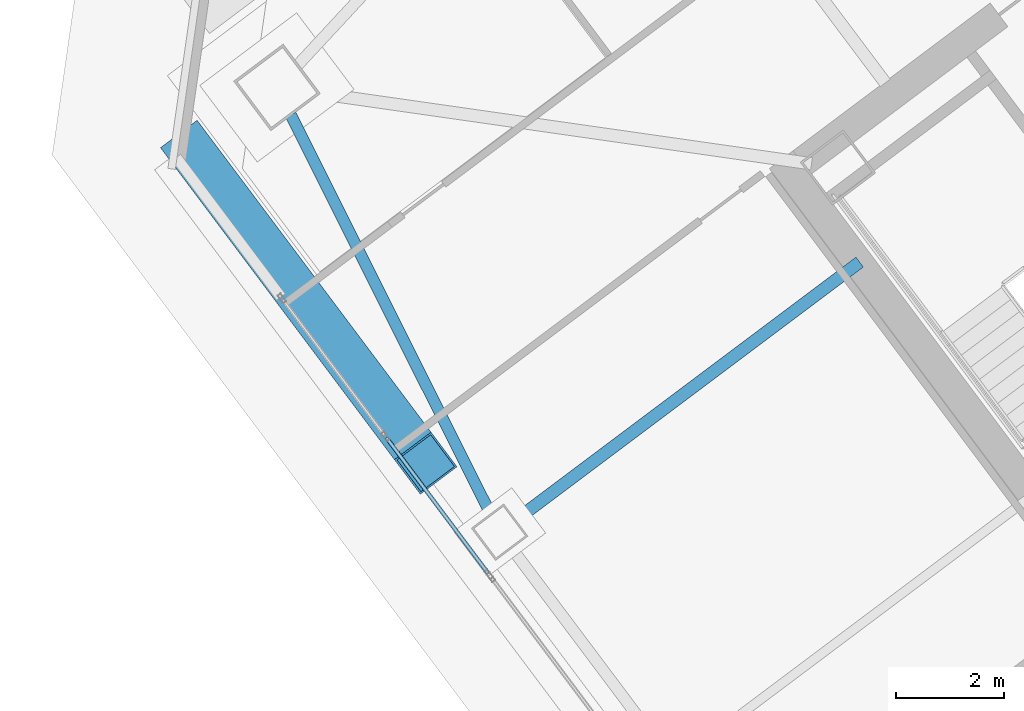
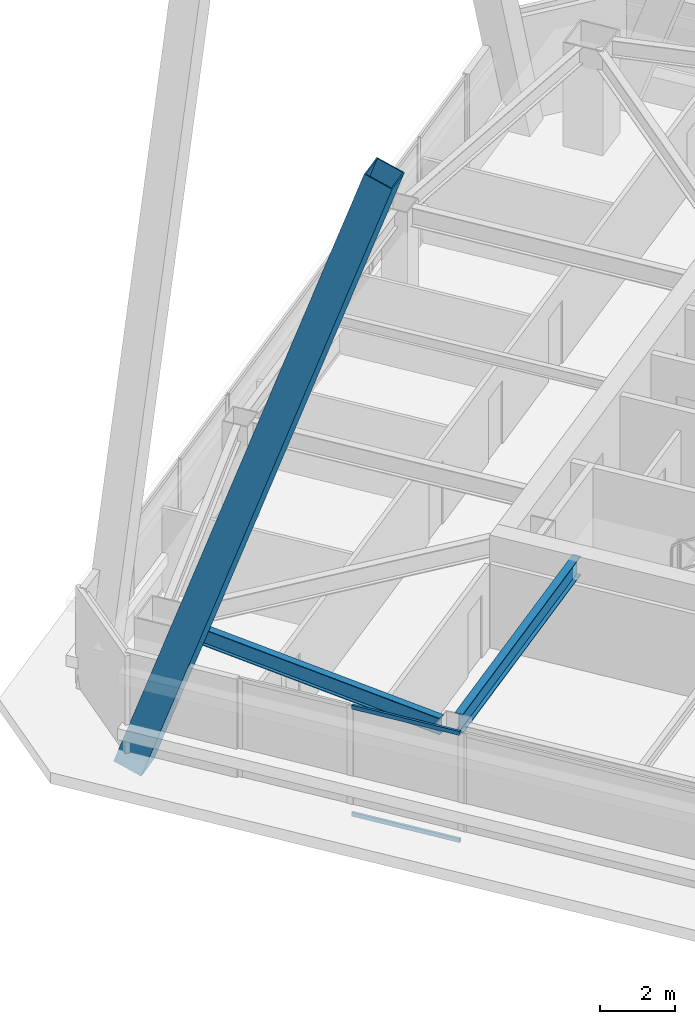
# One storey, part 34 of 65: 3 members, 2 beams, 1 element without a shape of its own.
"""IFC4 building model written with IfcOpenShell, lengths in metres."""

from ifc_helpers import new_model, si_unit, direction, frame, origin, origin_2d, place, context, subcontext, project, spatial, hollow_rectangle, i_section, extrude, material, material_profile, profile_set, type_object, element, aggregate, save


model = new_model("IFC4")

# Units and contexts
model_context = context("Model", 3, precision=1e-05, world=origin(), true_north=direction((0.0, 1.0)))
body_context = subcontext(model_context, "Body", "Model", "MODEL_VIEW")
ifc_project = project(units=[si_unit("LENGTHUNIT", "METRE"), si_unit("AREAUNIT", "SQUARE_METRE"), si_unit("VOLUMEUNIT", "CUBIC_METRE"), si_unit("PLANEANGLEUNIT", "RADIAN"), si_unit("MASSUNIT", "GRAM", prefix="KILO")], contexts=[model_context])

# Site, building, storey
site_placement = place(None, origin())
site = spatial("IfcSite", under=ifc_project, at=site_placement, CompositionType="ELEMENT")
building_placement = place(site_placement, origin())
building = spatial("IfcBuilding", under=site, at=building_placement, Name="Tashvorn Skyway Center", CompositionType="ELEMENT")
storey_placement = place(building_placement, frame((0.0, 0.0, 157.0)))
storey = spatial("IfcBuildingStorey", under=building, at=storey_placement, Name="L42", CompositionType="ELEMENT", Elevation=157.0)

# Beams
ifc_material_1 = material(Name="Steel ASTM A992 Grade 50", Category="steel")
ifc_material_profile_1 = material_profile(ifc_material_1, i_section(OverallWidth=0.22998046875, OverallDepth=0.616943359375, WebThickness=0.01318359375, FlangeThickness=0.022216796875, at=origin_2d()), Name="W24X94")
ifc_profile_set_1 = profile_set([ifc_material_profile_1], Name="Steel ASTM A992 Grade 50")
beam_type_1 = type_object("IfcBeamType", Name="BM-BEAM-W24X94", PredefinedType="BEAM", material=ifc_profile_set_1)
beam_1_placement = place(storey_placement, frame((98.135986328125, 26.85205078125, 3.0615234375), z_axis=(0.799992675677, 0.60000976564, 0.0), x_axis=(-0.60000976564, 0.799992675677, 0.0)))
element("IfcBeam", 1, at=beam_1_placement, inside=storey, type_object=beam_type_1, Name="Tower 2 L42 Primary Floor Girder FC-W1", PredefinedType="BEAM", context=body_context, shape_type="SweptSolid", body=[
    extrude(i_section(OverallWidth=0.22998046875, OverallDepth=0.616943359375, WebThickness=0.01318359375, FlangeThickness=0.022216796875, at=origin_2d()), origin(), (0.0, 0.0, 1.0), 8.0),
])
ifc_material_profile_2 = material_profile(ifc_material_1, i_section(OverallWidth=0.2109375, OverallDepth=0.5390625, WebThickness=0.01171875, FlangeThickness=0.018798828125, at=origin_2d()), Name="W21X73")
ifc_profile_set_2 = profile_set([ifc_material_profile_2], Name="Steel ASTM A992 Grade 50")
beam_type_2 = type_object("IfcBeamType", Name="BM-SPANDREL-W21X73", PredefinedType="SPANDREL", material=ifc_profile_set_2)
beam_2_placement = place(storey_placement, frame((93.955078125, 34.390380859375, 3.1005859375), z_axis=(0.447648438059, -0.894209637559, 0.0), x_axis=(0.894209637559, 0.447648438059, 0.0)))
element("IfcBeam", 2, at=beam_2_placement, inside=storey, type_object=beam_type_2, Name="Tower 2 L42 Spandrel Beam 10", PredefinedType="SPANDREL", context=body_context, shape_type="SweptSolid", body=[
    extrude(i_section(OverallWidth=0.2109375, OverallDepth=0.5390625, WebThickness=0.01171875, FlangeThickness=0.018798828125, at=origin_2d()), origin(), (0.0, 0.0, 1.0), 8.308349609375),
])

# Curtain wall, members
ifc_material_2 = material(Name="Thermally broken bronze-anodized aluminium 6063-T6", Category="aluminium")
curtain_wall_type = type_object("IfcCurtainWallType", Name="CW-CW-Z4", PredefinedType="NOTDEFINED", material=ifc_material_2)
curtain_wall_placement = place(storey_placement, origin())
curtain_wall = element("IfcCurtainWall", 3, at=curtain_wall_placement, inside=storey, type_object=curtain_wall_type, Name="Tower 2 L42 West Unitised Curtain Wall Glazing Group 3", PredefinedType="NOTDEFINED")
ifc_material_profile_3 = material_profile(ifc_material_2, hollow_rectangle(XDim=0.070068359375, YDim=0.1298828125, WallThickness=0.00390625, at=origin_2d()), Name="ALU-TRAN-70x130")
ifc_profile_set_3 = profile_set([ifc_material_profile_3], Name="Thermally broken bronze-anodized aluminium 6063-T6")
member_type_1 = type_object("IfcMemberType", Name="CWT-CW-Z4", PredefinedType="USERDEFINED", material=ifc_profile_set_3)
member_1_placement = place(storey_placement, frame((97.617919921875, 25.8759765625, 0.034912109375), z_axis=(-0.599962618496, 0.800028034763, 0.0), x_axis=(-0.800028034763, -0.599962618496, 0.0)))
member_1 = element("IfcMember", 4, at=member_1_placement, type_object=member_type_1, Name="CW-Z4 transom 1.1", ObjectType="TRANSOM", PredefinedType="USERDEFINED", context=body_context, shape_type="SweptSolid", body=[
    extrude(hollow_rectangle(XDim=0.070068359375, YDim=0.1298828125, WallThickness=0.00390625, at=origin_2d()), origin(), (0.0, 0.0, 1.0), 3.135009765625),
])
member_2_placement = place(storey_placement, frame((97.617919921875, 25.8759765625, 3.514892578125), z_axis=(-0.599962618496, 0.800028034763, 0.0), x_axis=(-0.800028034763, -0.599962618496, 0.0)))
member_2 = element("IfcMember", 5, at=member_2_placement, type_object=member_type_1, Name="CW-Z4 transom 1.2", ObjectType="TRANSOM", PredefinedType="USERDEFINED", context=body_context, shape_type="SweptSolid", body=[
    extrude(hollow_rectangle(XDim=0.070068359375, YDim=0.1298828125, WallThickness=0.00390625, at=origin_2d()), origin(), (0.0, 0.0, 1.0), 3.135009765625),
])
aggregate(curtain_wall, [member_1, member_2])

# Member
ifc_material_3 = material(Name="Steel ASTM A572 Grade 50", Category="steel")
ifc_material_profile_4 = material_profile(ifc_material_3, hollow_rectangle(XDim=0.85009765625, YDim=0.85009765625, WallThickness=0.034912109375, at=origin_2d()), Name="BOX850x850x35")
ifc_profile_set_4 = profile_set([ifc_material_profile_4], Name="Steel ASTM A572 Grade 50")
member_type_2 = type_object("IfcMemberType", Name="MEM-MB-850", PredefinedType="BRACE", material=ifc_profile_set_4)
member_3_placement = place(storey_placement, frame((92.115966796875, 33.7119140625, -0.199951171875), z_axis=(0.195391019815, -0.260506738507, 0.945493833173), x_axis=(0.799983835699, 0.600021551797, 0.0)))
element("IfcMember", 6, at=member_3_placement, inside=storey, type_object=member_type_2, Name="Tower 2 Zone 4 W Chevron Mega-Brace L1", PredefinedType="BRACE", context=body_context, shape_type="SweptSolid", body=[
    extrude(hollow_rectangle(XDim=0.85009765625, YDim=0.85009765625, WallThickness=0.034912109375, at=origin_2d()), origin(), (0.0, 0.0, 1.0), 22.263427734375),
])

save(model, "model.ifc")
